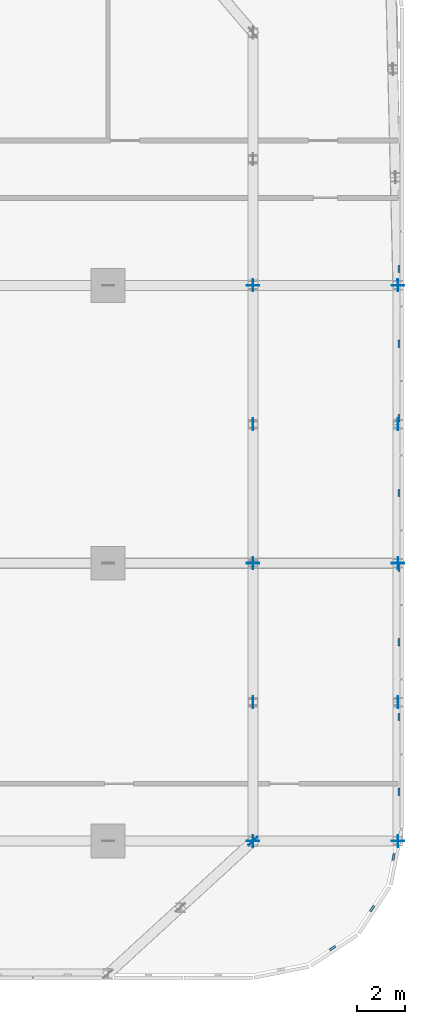
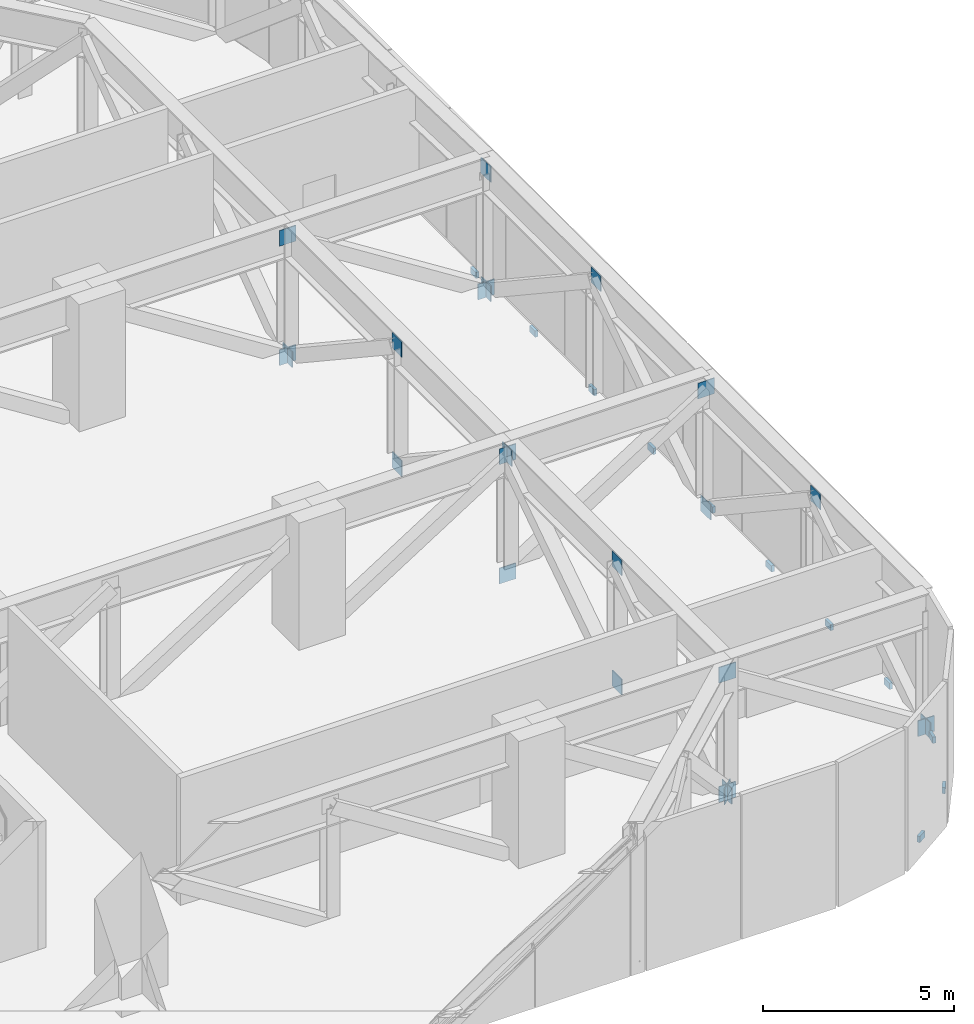
# One storey, part 19 of 26: 34 discrete accessories.
"""IFC4 building model written with IfcOpenShell, lengths in metres."""

from ifc_helpers import new_model, si_unit, direction, frame, origin, origin_2d, place, context, subcontext, project, spatial, rectangle, extrude, material, layer, layer_set, type_object, element, save


model = new_model("IFC4")

# Units and contexts
model_context = context("Model", 3, precision=1e-05, world=origin(), true_north=direction((0.0, 1.0)))
body_context = subcontext(model_context, "Body", "Model", "MODEL_VIEW")
ifc_project = project(units=[si_unit("LENGTHUNIT", "METRE"), si_unit("AREAUNIT", "SQUARE_METRE"), si_unit("VOLUMEUNIT", "CUBIC_METRE"), si_unit("PLANEANGLEUNIT", "RADIAN"), si_unit("MASSUNIT", "GRAM", prefix="KILO")], contexts=[model_context])

# Site, building, storey
site_placement = place(None, origin())
site = spatial("IfcSite", under=ifc_project, at=site_placement, CompositionType="ELEMENT")
building_placement = place(site_placement, origin())
building = spatial("IfcBuilding", under=site, at=building_placement, Name="Mahtab Terrace Research Tower", CompositionType="ELEMENT")
storey_placement = place(building_placement, frame((0.0, 0.0, 117.60009765625)))
storey = spatial("IfcBuildingStorey", under=building, at=storey_placement, Name="L27", CompositionType="ELEMENT", Elevation=117.60009765625)

# Discrete accessories
ifc_material_1 = material(Name="Black anodised aluminium", Category="aluminium")
discrete_accessory_type_1 = type_object("IfcDiscreteAccessoryType", Name="Facade bracket", PredefinedType="BRACKET", material=ifc_material_1)
for number, where, z_axis, x_axis, name in (
    (1, (51.29443359375, -15.930419921875, -0.30029296875), (0.0, 0.0, 1.0), (0.831655794326, 0.555291490808, 0.0), "Louvre bracket L27 4"),
    (2, (52.930419921875, -14.29443359375, -0.30029296875), (0.0, 0.0, 1.0), (0.555291490808, 0.831655794326, 0.0), "Louvre bracket L27 5"),
    (3, (53.815673828125, -12.15673828125, -0.30029296875), (0.0, 0.0, 1.0), (0.195212442692, 0.980760981187, 0.0), "Louvre bracket L27 6"),
    (4, (54.044921875, -9.45458984375, -0.30029296875), (0.0, 0.0, 1.0), (0.0, 1.0, 0.0), "Louvre bracket L27 7"),
    (5, (54.044921875, -6.363525390625, -0.30029296875), (0.0, 0.0, 1.0), (0.0, 1.0, 0.0), "Louvre bracket L27 8"),
    (6, (54.044921875, -3.272705078125, -0.30029296875), (0.0, 0.0, 1.0), (0.0, 1.0, 0.0), "Louvre bracket L27 9"),
    (7, (54.044921875, -0.181884765625, -0.30029296875), (0.0, 0.0, 1.0), (0.0, 1.0, 0.0), "Louvre bracket L27 10"),
    (8, (54.044921875, 2.9091796875, -0.30029296875), (0.0, 0.0, 1.0), (0.0, 1.0, 0.0), "Louvre bracket L27 11"),
    (9, (54.044921875, 6.0, -0.30029296875), (0.0, 0.0, 1.0), (0.0, 1.0, 0.0), "Louvre bracket L27 12"),
    (10, (54.044921875, 9.0908203125, -0.30029296875), (0.0, 0.0, 1.0), (0.0, 1.0, 0.0), "Louvre bracket L27 13"),
    (11, (54.044921875, 12.181884765625, -0.30029296875), (0.0, 0.0, 1.0), (0.0, 1.0, 0.0), "Louvre bracket L27 14"),
):
    element("IfcDiscreteAccessory", number, at=place(storey_placement, frame(where, z_axis=z_axis, x_axis=x_axis)), inside=storey, type_object=discrete_accessory_type_1, Name=name, PredefinedType="BRACKET", context=body_context, shape_type="SweptSolid", body=[
        extrude(rectangle(XDim=0.300048828125, YDim=0.090087890625, at=origin_2d()), origin(), (0.0, 0.0, 1.0), 0.199951171875),
    ])
ifc_material_2 = material(Name="Steel ASTM A992 Gr 50", Category="steel")
ifc_layer = layer(ifc_material_2, 0.030029296875)
ifc_layer_set = layer_set([ifc_layer], Name="Gusset plate 500x500x30")
discrete_accessory_type_2 = type_object("IfcDiscreteAccessoryType", Name="Gusset plate 500x500x30", PredefinedType="USERDEFINED", material=ifc_layer_set)
for number, where, z_axis, x_axis, name in (
    (12, (48.0, -11.5, -0.558837890625), (0.0, 0.0, 1.0), (1.0, 0.0, 0.0), "Gusset plate"),
    (13, (48.0, -11.5, 3.251220703125), (0.0, 0.0, 1.0), (1.0, 0.0, 0.0), "Gusset plate"),
    (14, (48.0, 0.0, -0.558837890625), (0.0, 0.0, 1.0), (1.0, 0.0, 0.0), "Gusset plate"),
    (15, (48.0, 0.0, 3.251220703125), (0.0, 0.0, 1.0), (1.0, 0.0, 0.0), "Gusset plate"),
    (16, (48.0, 11.5, -0.558837890625), (0.0, 0.0, 1.0), (1.0, 0.0, 0.0), "Gusset plate"),
    (17, (48.0, 11.5, 3.251220703125), (0.0, 0.0, 1.0), (1.0, 0.0, 0.0), "Gusset plate"),
    (18, (54.0, -11.5, -0.558837890625), (0.0, 0.0, 1.0), (1.0, 0.0, 0.0), "Gusset plate"),
    (19, (54.0, 0.0, 3.251220703125), (0.0, 0.0, 1.0), (1.0, 0.0, 0.0), "Gusset plate"),
    (20, (54.0, 11.5, -0.558837890625), (0.0, 0.0, 1.0), (1.0, 0.0, 0.0), "Gusset plate"),
    (21, (48.0, -11.5, -0.558837890625), (0.0, 0.0, 1.0), (0.737159412846, 0.675718876495, 0.0), "Gusset plate"),
    (22, (48.0, -11.5, -0.558837890625), (0.0, 0.0, 1.0), (0.0, 1.0, 0.0), "Gusset plate"),
    (23, (48.0, -5.75, -0.558837890625), (0.0, 0.0, 1.0), (0.0, 1.0, 0.0), "Gusset plate"),
    (24, (48.0, -5.75, 3.251220703125), (0.0, 0.0, 1.0), (0.0, 1.0, 0.0), "Gusset plate"),
    (25, (48.0, 0.0, 3.251220703125), (0.0, 0.0, 1.0), (0.0, 1.0, 0.0), "Gusset plate"),
    (26, (48.0, 5.75, -0.558837890625), (0.0, 0.0, 1.0), (0.0, 1.0, 0.0), "Gusset plate"),
    (27, (48.0, 5.75, 3.251220703125), (0.0, 0.0, 1.0), (0.0, 1.0, 0.0), "Gusset plate"),
    (28, (48.0, 11.5, -0.558837890625), (0.0, 0.0, 1.0), (0.0, 1.0, 0.0), "Gusset plate"),
    (29, (54.0, -11.5, -0.558837890625), (0.0, 0.0, 1.0), (0.0, 1.0, 0.0), "Gusset plate"),
    (30, (54.0, -5.75, 3.251220703125), (0.0, 0.0, 1.0), (0.0, 1.0, 0.0), "Gusset plate"),
    (31, (54.0, 0.0, -0.558837890625), (0.0, 0.0, 1.0), (0.0, 1.0, 0.0), "Gusset plate"),
    (32, (54.0, 5.75, 3.251220703125), (0.0, 0.0, 1.0), (0.0, 1.0, 0.0), "Gusset plate"),
    (33, (54.0, 11.5, -0.558837890625), (0.0, 0.0, 1.0), (0.0, 1.0, 0.0), "Gusset plate"),
    (34, (54.0, 11.5, 3.251220703125), (0.0, 0.0, 1.0), (-0.023681903794, 0.999719544389, 0.0), "Gusset plate"),
):
    element("IfcDiscreteAccessory", number, at=place(storey_placement, frame(where, z_axis=z_axis, x_axis=x_axis)), inside=storey, type_object=discrete_accessory_type_2, Name=name, ObjectType="GUSSET PLATE", PredefinedType="USERDEFINED", context=body_context, shape_type="SweptSolid", body=[
        extrude(rectangle(XDim=0.5, YDim=0.030029296875, at=origin_2d()), origin(), (0.0, 0.0, 1.0), 0.5),
    ])

save(model, "model.ifc")
